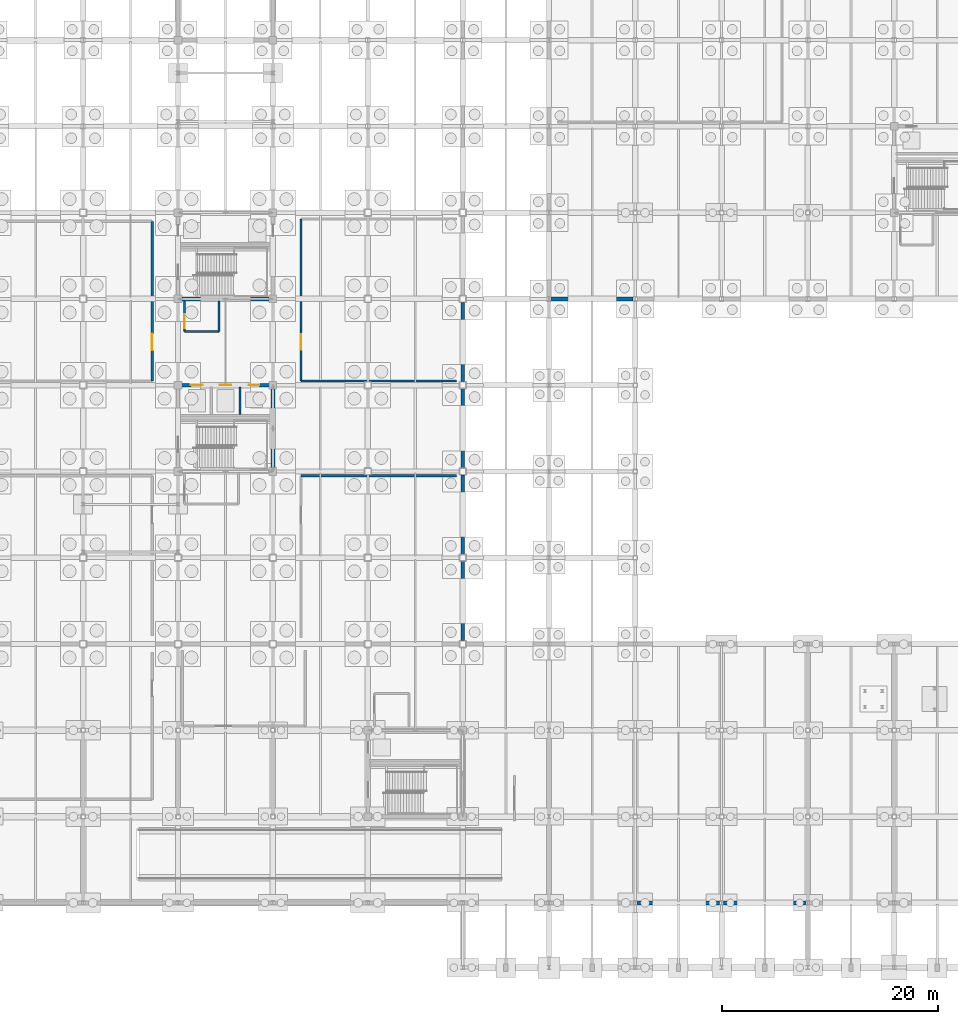
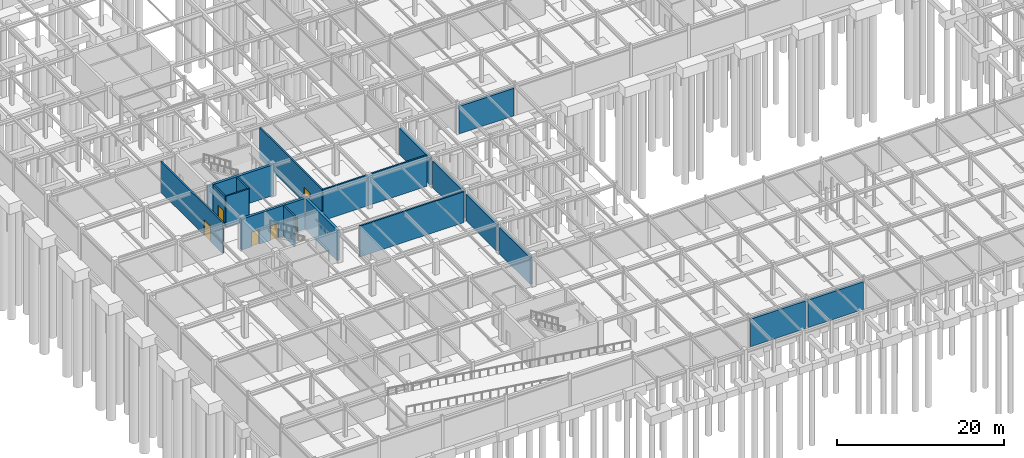
# One storey, part 61 of 72: 18 walls, 6 doors, 6 openings.
"""IFC4 building model written with IfcOpenShell, lengths in metres."""

from ifc_helpers import new_model, si_unit, direction, frame, frame_2d, origin, place, context, subcontext, project, spatial, rectangle, extrude, material, layer, layer_set, type_object, element, fill, save


model = new_model("IFC4")

# Units and contexts
model_context = context("Model", 3, precision=1e-05, world=origin(), true_north=direction((0.0, 1.0)))
body_context = subcontext(model_context, "Body", "Model", "MODEL_VIEW")
ifc_project = project(units=[si_unit("LENGTHUNIT", "METRE"), si_unit("AREAUNIT", "SQUARE_METRE"), si_unit("VOLUMEUNIT", "CUBIC_METRE"), si_unit("PLANEANGLEUNIT", "RADIAN"), si_unit("MASSUNIT", "GRAM", prefix="KILO")], contexts=[model_context])

# Site, building, storey
site_placement = place(None, origin())
site = spatial("IfcSite", under=ifc_project, at=site_placement, CompositionType="ELEMENT")
building_placement = place(site_placement, origin())
building = spatial("IfcBuilding", under=site, at=building_placement, Name="Zhaolan Boulevard Law Courts", CompositionType="ELEMENT")
storey_placement = place(building_placement, frame((0.0, 0.0, -4.800048828125)))
storey = spatial("IfcBuildingStorey", under=building, at=storey_placement, Name="B1", CompositionType="ELEMENT", Elevation=-4.800048828125)

# Wall, openings, doors
ifc_material_1 = material(Name="Concrete C50", Category="concrete")
ifc_layer_1 = layer(ifc_material_1, 0.35009765625)
ifc_layer_set_1 = layer_set([ifc_layer_1])
wall_type_1 = type_object("IfcWallType", Name="CORE SHEAR WALL 350", PredefinedType="SHEAR", material=ifc_layer_set_1)
wall_1_placement = place(storey_placement, frame((26.574951171875, 54.0, 0.0), z_axis=(0.0, 0.0, 1.0), x_axis=(-1.0, 0.0, 0.0)))
wall_1 = element("IfcWall", 1, at=wall_1_placement, inside=storey, type_object=wall_type_1, Name="Core Shear Wall CW-W1-B1N", PredefinedType="SHEAR", context=body_context, shape_type="SweptSolid", body=[
    extrude(rectangle(XDim=9.14990234375, YDim=0.35009765625, at=frame_2d((4.574951171875, 0.0))), origin(), (0.0, 0.0, 1.0), 4.52001953125),
])
opening_1_placement = place(wall_1_placement, frame((6.675048828125, 0.0, 0.0)))
opening_1 = element("IfcOpeningElement", 2, at=opening_1_placement, cuts=wall_1, Name="Opening LD-FL-01-B1", PredefinedType="OPENING", context=body_context, shape_type="SweptSolid", body=[
    extrude(rectangle(XDim=1.10009765625, YDim=2.14990234375, at=frame_2d((0.550048828125, 1.074951171875))), frame((0.0, 0.18505859375, 0.0), z_axis=(0.0, -1.0, 0.0), x_axis=(1.0, 0.0, 0.0)), (0.0, 0.0, 1.0), 0.3701171875),
])
opening_2_placement = place(wall_1_placement, frame((4.02490234375, 0.0, 0.0)))
opening_2 = element("IfcOpeningElement", 3, at=opening_2_placement, cuts=wall_1, Name="Opening LD-FL-02-B1", PredefinedType="OPENING", context=body_context, shape_type="SweptSolid", body=[
    extrude(rectangle(XDim=1.10009765625, YDim=2.14990234375, at=frame_2d((0.550048828125, 1.074951171875))), frame((0.0, 0.18505859375, 0.0), z_axis=(0.0, -1.0, 0.0), x_axis=(1.0, 0.0, 0.0)), (0.0, 0.0, 1.0), 0.3701171875),
])
opening_3_placement = place(wall_1_placement, frame((1.425048828125, 0.0, 0.0)))
opening_3 = element("IfcOpeningElement", 4, at=opening_3_placement, cuts=wall_1, Name="Opening LD-JL-01-B1", PredefinedType="OPENING", context=body_context, shape_type="SweptSolid", body=[
    extrude(rectangle(XDim=1.0, YDim=2.14990234375, at=frame_2d((0.5, 1.074951171875))), frame((0.0, 0.18505859375, 0.0), z_axis=(0.0, -1.0, 0.0), x_axis=(1.0, 0.0, 0.0)), (0.0, 0.0, 1.0), 0.3701171875),
])
ifc_material_2 = material(Name="Stainless steel sliding landing door", Category="steel")
door_type_1 = type_object("IfcDoorType", Name="LIFT LANDING 1000X2150", OperationType="DOUBLE_DOOR_SLIDING", PredefinedType="DOOR", material=ifc_material_2)
door_1_placement = place(opening_3_placement, origin())
door_1 = element("IfcDoor", 5, at=door_1_placement, inside=storey, type_object=door_type_1, Name="Lift Landing Sliding Door LD-JL-01-B1", OperationType="DOUBLE_DOOR_SLIDING", OverallHeight=2.14990234375, OverallWidth=1.0, PredefinedType="DOOR", context=body_context, shape_type="SweptSolid", body=[
    extrude(rectangle(XDim=1.0, YDim=2.14990234375, at=frame_2d((0.5, 1.074951171875))), frame((0.0, 0.02490234375, 0.0), z_axis=(0.0, -1.0, 0.0), x_axis=(1.0, 0.0, 0.0)), (0.0, 0.0, 1.0), 0.050048828125),
])
fill(opening_3, door_1)
ifc_material_3 = material(Name="Stainless steel sliding landing door", Category="steel")
door_type_2 = type_object("IfcDoorType", Name="LIFT LANDING 1100X2150", OperationType="DOUBLE_DOOR_SLIDING", PredefinedType="DOOR", material=ifc_material_3)
door_2_placement = place(opening_1_placement, origin())
door_2 = element("IfcDoor", 6, at=door_2_placement, inside=storey, type_object=door_type_2, Name="Lift Landing Sliding Door LD-FL-01-B1", OperationType="DOUBLE_DOOR_SLIDING", OverallHeight=2.14990234375, OverallWidth=1.10009765625, PredefinedType="DOOR", context=body_context, shape_type="SweptSolid", body=[
    extrude(rectangle(XDim=1.10009765625, YDim=2.14990234375, at=frame_2d((0.550048828125, 1.074951171875))), frame((0.0, 0.02490234375, 0.0), z_axis=(0.0, -1.0, 0.0), x_axis=(1.0, 0.0, 0.0)), (0.0, 0.0, 1.0), 0.050048828125),
])
fill(opening_1, door_2)
door_3_placement = place(opening_2_placement, origin())
door_3 = element("IfcDoor", 7, at=door_3_placement, inside=storey, type_object=door_type_2, Name="Lift Landing Sliding Door LD-FL-02-B1", OperationType="DOUBLE_DOOR_SLIDING", OverallHeight=2.14990234375, OverallWidth=1.10009765625, PredefinedType="DOOR", context=body_context, shape_type="SweptSolid", body=[
    extrude(rectangle(XDim=1.10009765625, YDim=2.14990234375, at=frame_2d((0.550048828125, 1.074951171875))), frame((0.0, 0.02490234375, 0.0), z_axis=(0.0, -1.0, 0.0), x_axis=(1.0, 0.0, 0.0)), (0.0, 0.0, 1.0), 0.050048828125),
])
fill(opening_2, door_3)

# Walls
wall_2_placement = place(storey_placement, frame((26.39990234375, 46.175048828125, 0.0), z_axis=(0.0, 0.0, 1.0), x_axis=(0.0, 1.0, 0.0)))
element("IfcWall", 8, at=wall_2_placement, inside=storey, type_object=wall_type_1, Name="Core Shear Wall CW-W1-B1E", PredefinedType="SHEAR", context=body_context, shape_type="SweptSolid", body=[
    extrude(rectangle(XDim=7.64990234375, YDim=0.35009765625, at=frame_2d((3.824951171875, 0.0))), origin(), (0.0, 0.0, 1.0), 4.52001953125),
])
wall_3_placement = place(storey_placement, frame((17.425048828125, 62.0, 0.0), z_axis=(0.0, 0.0, 1.0), x_axis=(1.0, 0.0, 0.0)))
element("IfcWall", 9, at=wall_3_placement, inside=storey, type_object=wall_type_1, Name="Core Shear Wall CW-W2-B1S", PredefinedType="SHEAR", context=body_context, shape_type="SweptSolid", body=[
    extrude(rectangle(XDim=9.14990234375, YDim=0.35009765625, at=frame_2d((4.574951171875, 0.0))), origin(), (0.0, 0.0, 1.0), 4.52001953125),
])
ifc_material_4 = material(Name="Concrete C40", Category="concrete")
ifc_layer_2 = layer(ifc_material_4, 0.360107421875)
ifc_layer_set_2 = layer_set([ifc_layer_2])
wall_type_2 = type_object("IfcWallType", Name="EXT WALL RETAINING360", PredefinedType="USERDEFINED", material=ifc_layer_set_2)
for number, where, z_axis, x_axis, name in (
    (10, (60.1708984375, 6.0, 0.0), (0.0, 0.0, 1.0), (1.0, 0.0, 0.0), "Exterior Wall EW-B1-008"),
    (11, (68.1708984375, 6.0, 0.0), (0.0, 0.0, 1.0), (1.0, 0.0, 0.0), "Exterior Wall EW-B1-009"),
):
    element("IfcWall", number, at=place(storey_placement, frame(where, z_axis=z_axis, x_axis=x_axis)), inside=storey, type_object=wall_type_2, Name=name, ObjectType="RETAININGWALL", PredefinedType="USERDEFINED", context=body_context, shape_type="SweptSolid", body=[
        extrude(rectangle(XDim=7.658203125, YDim=0.360107421875, at=frame_2d((3.8291015625, 0.0))), origin(), (0.0, 0.0, 1.0), 4.04296875),
    ])
for number, where, z_axis, x_axis, name in (
    (12, (44.0, 30.321044921875, 0.0), (0.0, 0.0, 1.0), (0.0, 1.0, 0.0), "Exterior Wall EW-B1-055"),
    (13, (44.0, 38.321044921875, 0.0), (0.0, 0.0, 1.0), (0.0, 1.0, 0.0), "Exterior Wall EW-B1-056"),
    (14, (44.0, 46.321044921875, 0.0), (0.0, 0.0, 1.0), (0.0, 1.0, 0.0), "Exterior Wall EW-B1-057"),
    (15, (44.0, 54.321044921875, 0.0), (0.0, 0.0, 1.0), (0.0, 1.0, 0.0), "Exterior Wall EW-B1-058"),
):
    element("IfcWall", number, at=place(storey_placement, frame(where, z_axis=z_axis, x_axis=x_axis)), inside=storey, type_object=wall_type_2, Name=name, ObjectType="RETAININGWALL", PredefinedType="USERDEFINED", context=body_context, shape_type="SweptSolid", body=[
        extrude(rectangle(XDim=7.35791015625, YDim=0.360107421875, at=frame_2d((3.678955078125, 0.0))), origin(), (0.0, 0.0, 1.0), 3.883056640625),
    ])
wall_4_placement = place(storey_placement, frame((52.196044921875, 62.0, 0.0), z_axis=(0.0, 0.0, 1.0), x_axis=(1.0, 0.0, 0.0)))
element("IfcWall", 16, at=wall_4_placement, inside=storey, type_object=wall_type_2, Name="Exterior Wall EW-B1-074", ObjectType="RETAININGWALL", PredefinedType="USERDEFINED", context=body_context, shape_type="SweptSolid", body=[
    extrude(rectangle(XDim=7.60791015625, YDim=0.360107421875, at=frame_2d((3.803955078125, 0.0))), origin(), (0.0, 0.0, 1.0), 4.04296875),
])
ifc_material_5 = material(Name="Acoustic gypsum and mineral-wool stud")
ifc_layer_3 = layer(ifc_material_5, 0.18994140625)
ifc_layer_set_3 = layer_set([ifc_layer_3])
wall_type_3 = type_object("IfcWallType", Name="PART WALL ACOUST190", PredefinedType="PARTITIONING", material=ifc_layer_set_3)
wall_5_placement = place(storey_placement, frame((18.199951171875, 59.0, 0.0), z_axis=(0.0, 0.0, 1.0), x_axis=(1.0, 0.0, 0.0)))
element("IfcWall", 17, at=wall_5_placement, inside=storey, type_object=wall_type_3, Name="Interior Partition PW-B1-004", PredefinedType="PARTITIONING", context=body_context, shape_type="SweptSolid", body=[
    extrude(rectangle(XDim=3.199951171875, YDim=0.18994140625, at=frame_2d((1.60009765625, 0.0))), origin(), (0.0, 0.0, 1.0), 4.52001953125),
])

# Wall, opening, door
wall_6_placement = place(storey_placement, frame((18.199951171875, 61.800048828125, 0.0), z_axis=(0.0, 0.0, 1.0), x_axis=(0.0, -1.0, 0.0)))
wall_6 = element("IfcWall", 18, at=wall_6_placement, inside=storey, type_object=wall_type_3, Name="Interior Partition PW-B1-005", PredefinedType="PARTITIONING", context=body_context, shape_type="SweptSolid", body=[
    extrude(rectangle(XDim=2.800048828125, YDim=0.18994140625, at=frame_2d((1.39990234375, 0.0))), origin(), (0.0, 0.0, 1.0), 4.52001953125),
])
opening_4_placement = place(wall_6_placement, frame((1.199951171875, 0.0, 0.0)))
opening_4 = element("IfcOpeningElement", 19, at=opening_4_placement, cuts=wall_6, Name="Opening FD-B1-002", PredefinedType="OPENING", context=body_context, shape_type="SweptSolid", body=[
    extrude(rectangle(XDim=1.300048828125, YDim=2.199951171875, at=frame_2d((0.64990234375, 1.10009765625))), frame((0.0, 0.10498046875, 0.0), z_axis=(0.0, -1.0, 0.0), x_axis=(1.0, 0.0, 0.0)), (0.0, 0.0, 1.0), 0.2099609375),
])
ifc_material_6 = material(Name="Fire-rated steel acoustic door", Category="steel")
door_type_3 = type_object("IfcDoorType", Name="LOBBY FIRE 1300X2200 R", OperationType="SINGLE_SWING_RIGHT", PredefinedType="DOOR", material=ifc_material_6)
door_4_placement = place(opening_4_placement, origin())
door_4 = element("IfcDoor", 20, at=door_4_placement, inside=storey, type_object=door_type_3, Name="Door FD-B1-002 (Lobby Firefighting Lift B1-W2)", OperationType="SINGLE_SWING_RIGHT", OverallHeight=2.199951171875, OverallWidth=1.300048828125, PredefinedType="DOOR", context=body_context, shape_type="SweptSolid", body=[
    extrude(rectangle(XDim=1.300048828125, YDim=2.199951171875, at=frame_2d((0.64990234375, 1.10009765625))), frame((0.0, 0.02490234375, 0.0), z_axis=(0.0, -1.0, 0.0), x_axis=(1.0, 0.0, 0.0)), (0.0, 0.0, 1.0), 0.050048828125),
])
fill(opening_4, door_4)

# Walls
wall_7_placement = place(storey_placement, frame((21.39990234375, 59.0, 0.0), z_axis=(0.0, 0.0, 1.0), x_axis=(0.0, 1.0, 0.0)))
element("IfcWall", 21, at=wall_7_placement, inside=storey, type_object=wall_type_3, Name="Interior Partition PW-B1-006", PredefinedType="PARTITIONING", context=body_context, shape_type="SweptSolid", body=[
    extrude(rectangle(XDim=2.800048828125, YDim=0.18994140625, at=frame_2d((1.39990234375, 0.0))), origin(), (0.0, 0.0, 1.0), 4.52001953125),
])
ifc_material_7 = material(Name="Concrete C40", Category="concrete")
ifc_layer_4 = layer(ifc_material_7, 0.2099609375)
ifc_layer_set_4 = layer_set([ifc_layer_4])
wall_type_4 = type_object("IfcWallType", Name="PART WALL CUSTODY210", PredefinedType="PARTITIONING", material=ifc_layer_set_4)
wall_8_placement = place(storey_placement, frame((23.337890625, 51.277099609375, 0.0), z_axis=(0.0, 0.0, 1.0), x_axis=(0.0, 1.0, 0.0)))
element("IfcWall", 22, at=wall_8_placement, inside=storey, type_object=wall_type_4, Name="Lift Shaft Divider Wall W1-2 (B1)", PredefinedType="PARTITIONING", context=body_context, shape_type="SweptSolid", body=[
    extrude(rectangle(XDim=2.5458984375, YDim=0.2099609375, at=frame_2d((1.27294921875, 0.0))), origin(), (0.0, 0.0, 1.0), 4.52001953125),
])

# Wall, opening, door
wall_9_placement = place(storey_placement, frame((15.199951171875, 54.39990234375, 0.0), z_axis=(0.0, 0.0, 1.0), x_axis=(0.0, 1.0, 0.0)))
wall_9 = element("IfcWall", 23, at=wall_9_placement, inside=storey, type_object=wall_type_4, Name="Interior Partition PW-B1-220", PredefinedType="PARTITIONING", context=body_context, shape_type="SweptSolid", body=[
    extrude(rectangle(XDim=14.800048828125, YDim=0.2099609375, at=frame_2d((7.39990234375, 0.0))), origin(), (0.0, 0.0, 1.0), 4.52001953125),
])
opening_5_placement = place(wall_9_placement, frame((2.830078125, 0.0, 0.0)))
opening_5 = element("IfcOpeningElement", 24, at=opening_5_placement, cuts=wall_9, Name="Opening PD-B1-064", PredefinedType="OPENING", context=body_context, shape_type="SweptSolid", body=[
    extrude(rectangle(XDim=1.550048828125, YDim=2.25, at=frame_2d((0.77490234375, 1.125))), frame((0.0, 0.114990234375, 0.0), z_axis=(0.0, -1.0, 0.0), x_axis=(1.0, 0.0, 0.0)), (0.0, 0.0, 1.0), 0.22998046875),
])
ifc_material_8 = material(Name="Fire-rated steel acoustic door", Category="steel")
door_type_4 = type_object("IfcDoorType", Name="PLANT DOOR 1550X2250", OperationType="DOUBLE_DOOR_SINGLE_SWING", PredefinedType="DOOR", material=ifc_material_8)
door_5_placement = place(opening_5_placement, origin())
door_5 = element("IfcDoor", 25, at=door_5_placement, inside=storey, type_object=door_type_4, Name="Door PD-B1-064 (Plant 10kV Electrical Substation and Generator Room)", OperationType="DOUBLE_DOOR_SINGLE_SWING", OverallHeight=2.25, OverallWidth=1.550048828125, PredefinedType="DOOR", context=body_context, shape_type="SweptSolid", body=[
    extrude(rectangle(XDim=1.550048828125, YDim=2.25, at=frame_2d((0.77490234375, 1.125))), frame((0.0, 0.02490234375, 0.0), z_axis=(0.0, -1.0, 0.0), x_axis=(1.0, 0.0, 0.0)), (0.0, 0.0, 1.0), 0.050048828125),
])
fill(opening_5, door_5)

# Walls
for number, where, z_axis, x_axis, name in (
    (26, (43.39990234375, 45.60009765625, 0.0), (0.0, 0.0, 1.0), (-1.0, 0.0, 0.0), "Interior Partition PW-B1-221"),
    (27, (29.0, 54.39990234375, 0.0), (0.0, 0.0, 1.0), (1.0, 0.0, 0.0), "Interior Partition PW-B1-223"),
):
    element("IfcWall", number, at=place(storey_placement, frame(where, z_axis=z_axis, x_axis=x_axis)), inside=storey, type_object=wall_type_4, Name=name, PredefinedType="PARTITIONING", context=body_context, shape_type="SweptSolid", body=[
        extrude(rectangle(XDim=14.39990234375, YDim=0.2099609375, at=frame_2d((7.199951171875, 0.0))), origin(), (0.0, 0.0, 1.0), 4.52001953125),
    ])

# Wall, opening, door
wall_10_placement = place(storey_placement, frame((29.0, 69.39990234375, 0.0), z_axis=(0.0, 0.0, 1.0), x_axis=(0.0, -1.0, 0.0)))
wall_10 = element("IfcWall", 28, at=wall_10_placement, inside=storey, type_object=wall_type_4, Name="Interior Partition PW-B1-225", PredefinedType="PARTITIONING", context=body_context, shape_type="SweptSolid", body=[
    extrude(rectangle(XDim=15.0, YDim=0.2099609375, at=frame_2d((7.5, 0.0))), origin(), (0.0, 0.0, 1.0), 4.52001953125),
])
opening_6_placement = place(wall_10_placement, frame((10.68408203125, 0.0, 0.0)))
opening_6 = element("IfcOpeningElement", 29, at=opening_6_placement, cuts=wall_10, Name="Opening AD-B1-066", PredefinedType="OPENING", context=body_context, shape_type="SweptSolid", body=[
    extrude(rectangle(XDim=1.419921875, YDim=2.25, at=frame_2d((0.7099609375, 1.125))), frame((0.0, 0.114990234375, 0.0), z_axis=(0.0, -1.0, 0.0), x_axis=(1.0, 0.0, 0.0)), (0.0, 0.0, 1.0), 0.22998046875),
])
ifc_material_9 = material(Name="Fire-rated steel acoustic door", Category="steel")
door_type_5 = type_object("IfcDoorType", Name="ARCHIVE DOOR 1420X2250", OperationType="DOUBLE_DOOR_SINGLE_SWING", PredefinedType="DOOR", material=ifc_material_9)
door_6_placement = place(opening_6_placement, origin())
door_6 = element("IfcDoor", 30, at=door_6_placement, inside=storey, type_object=door_type_5, Name="Door AD-B1-066 (Litigation Case Evidence Archive Vault B1)", OperationType="DOUBLE_DOOR_SINGLE_SWING", OverallHeight=2.25, OverallWidth=1.419921875, PredefinedType="DOOR", context=body_context, shape_type="SweptSolid", body=[
    extrude(rectangle(XDim=1.419921875, YDim=2.25, at=frame_2d((0.7099609375, 1.125))), frame((0.0, 0.02490234375, 0.0), z_axis=(0.0, -1.0, 0.0), x_axis=(1.0, 0.0, 0.0)), (0.0, 0.0, 1.0), 0.050048828125),
])
fill(opening_6, door_6)

save(model, "model.ifc")
